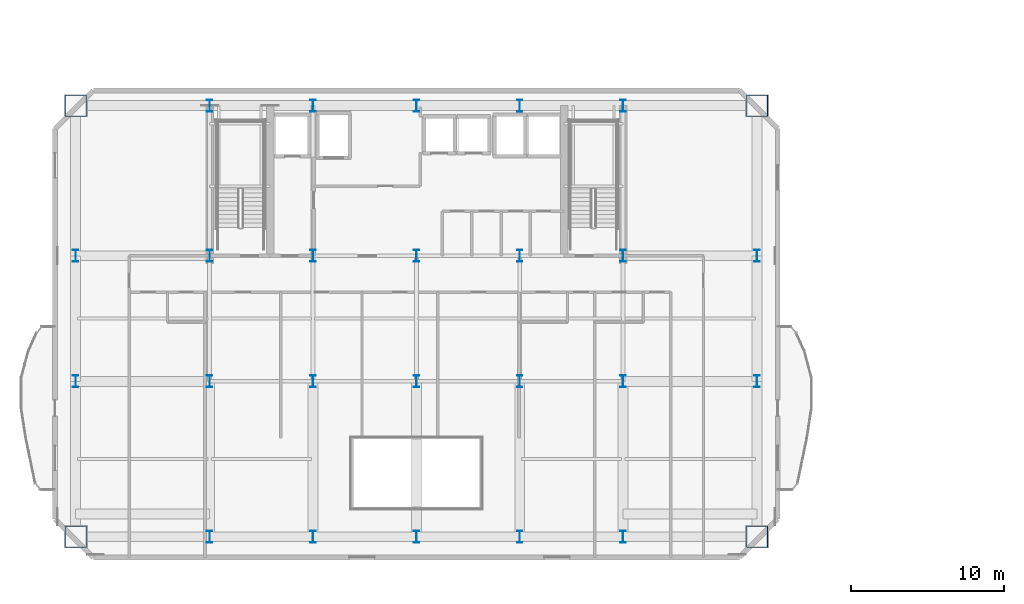
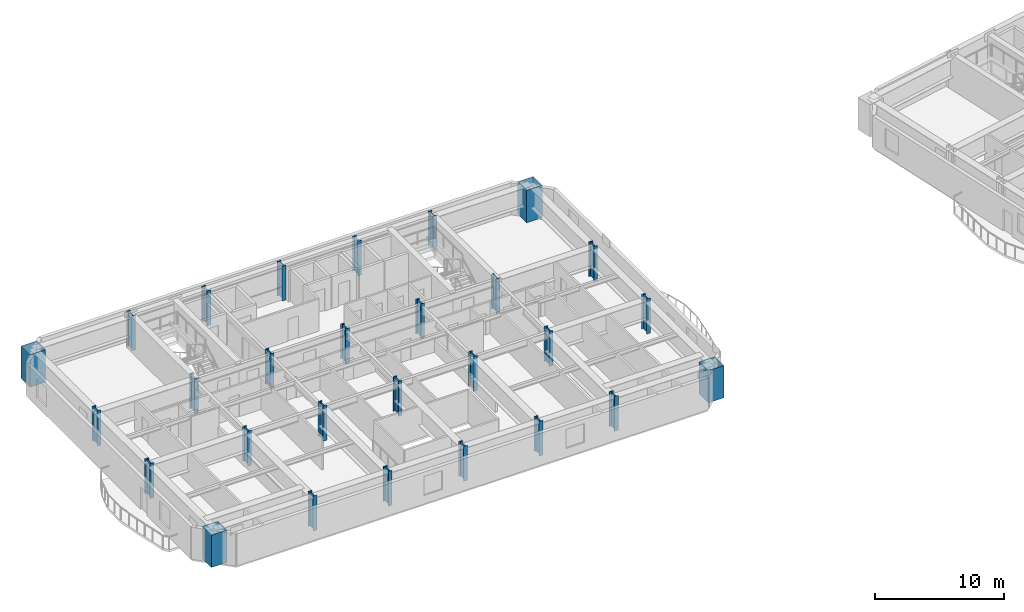
# One storey, part 1 of 15: 28 columns.
"""IFC4 building model written with IfcOpenShell, lengths in metres."""

from ifc_helpers import new_model, si_unit, direction, frame, origin, origin_2d, place, context, subcontext, project, spatial, hollow_rectangle, i_section, extrude, material, material_profile, profile_set, type_object, element, save


model = new_model("IFC4")

# Units and contexts
model_context = context("Model", 3, precision=1e-05, world=origin(), true_north=direction((0.0, 1.0)))
body_context = subcontext(model_context, "Body", "Model", "MODEL_VIEW")
ifc_project = project(units=[si_unit("LENGTHUNIT", "METRE"), si_unit("AREAUNIT", "SQUARE_METRE"), si_unit("VOLUMEUNIT", "CUBIC_METRE"), si_unit("PLANEANGLEUNIT", "RADIAN"), si_unit("MASSUNIT", "GRAM", prefix="KILO")], contexts=[model_context])

# Site, building, storey
site_placement = place(None, origin())
site = spatial("IfcSite", under=ifc_project, at=site_placement, CompositionType="ELEMENT")
building_placement = place(site_placement, origin())
building = spatial("IfcBuilding", under=site, at=building_placement, Name="Haevon Station Towers", CompositionType="ELEMENT")
storey_placement = place(building_placement, frame((0.0, 0.0, 109.800048828125)))
storey = spatial("IfcBuildingStorey", under=building, at=storey_placement, Name="L29", CompositionType="ELEMENT", Elevation=109.800048828125)

# Columns
ifc_material = material(Name="Steel S460", Category="steel")
ifc_material_profile_1 = material_profile(ifc_material, hollow_rectangle(XDim=1.39990234375, YDim=1.39990234375, WallThickness=0.035888671875, at=origin_2d()), Name="BOX-1400x1400x36")
ifc_profile_set_1 = profile_set([ifc_material_profile_1], Name="Steel S460")
column_type_1 = type_object("IfcColumnType", Name="COL-MC3", PredefinedType="COLUMN", material=ifc_profile_set_1)
for number, where, z_axis, x_axis, name in (
    (1, (15.25, 19.85009765625, 0.0), (0.0, 0.0, 1.0), (1.0, 0.0, 0.0), "COL-T1-L29-01-01"),
    (2, (15.25, 48.0, 0.0), (0.0, 0.0, 1.0), (1.0, 0.0, 0.0), "COL-T1-L29-01-04"),
    (3, (59.75, 19.85009765625, 0.0), (0.0, 0.0, 1.0), (1.0, 0.0, 0.0), "COL-T1-L29-07-01"),
    (4, (59.75, 48.0, 0.0), (0.0, 0.0, 1.0), (1.0, 0.0, 0.0), "COL-T1-L29-07-04"),
):
    element("IfcColumn", number, at=place(storey_placement, frame(where, z_axis=z_axis, x_axis=x_axis)), inside=storey, type_object=column_type_1, Name=name, PredefinedType="COLUMN", context=body_context, shape_type="SweptSolid", body=[
        extrude(hollow_rectangle(XDim=1.39990234375, YDim=1.39990234375, WallThickness=0.035888671875, at=origin_2d()), origin(), (0.0, 0.0, 1.0), 3.050048828125),
    ])
ifc_material_profile_2 = material_profile(ifc_material, i_section(OverallWidth=0.35009765625, OverallDepth=0.800048828125, WebThickness=0.01806640625, FlangeThickness=0.031982421875, at=origin_2d()), Name="H-800x350x18x32")
ifc_profile_set_2 = profile_set([ifc_material_profile_2], Name="Steel S460")
column_type_2 = type_object("IfcColumnType", Name="COL-TW2", PredefinedType="COLUMN", material=ifc_profile_set_2)
for number, where, z_axis, x_axis, name in (
    (5, (15.25, 30.0, 0.0), (0.0, 0.0, 1.0), (1.0, 0.0, 0.0), "COL-T1-L29-01-02"),
    (6, (15.25, 38.199951171875, 0.0), (0.0, 0.0, 1.0), (1.0, 0.0, 0.0), "COL-T1-L29-01-03"),
    (7, (24.0, 19.85009765625, 0.0), (0.0, 0.0, 1.0), (1.0, 0.0, 0.0), "COL-T1-L29-02-01"),
    (8, (24.0, 30.0, 0.0), (0.0, 0.0, 1.0), (1.0, 0.0, 0.0), "COL-T1-L29-02-02"),
    (9, (24.0, 38.199951171875, 0.0), (0.0, 0.0, 1.0), (1.0, 0.0, 0.0), "COL-T1-L29-02-03"),
    (10, (24.0, 48.0, 0.0), (0.0, 0.0, 1.0), (1.0, 0.0, 0.0), "COL-T1-L29-02-04"),
    (11, (30.75, 19.85009765625, 0.0), (0.0, 0.0, 1.0), (1.0, 0.0, 0.0), "COL-T1-L29-03-01"),
    (12, (30.75, 30.0, 0.0), (0.0, 0.0, 1.0), (1.0, 0.0, 0.0), "COL-T1-L29-03-02"),
    (13, (30.75, 38.199951171875, 0.0), (0.0, 0.0, 1.0), (1.0, 0.0, 0.0), "COL-T1-L29-03-03"),
    (14, (30.75, 48.0, 0.0), (0.0, 0.0, 1.0), (1.0, 0.0, 0.0), "COL-T1-L29-03-04"),
    (15, (37.5, 19.85009765625, 0.0), (0.0, 0.0, 1.0), (1.0, 0.0, 0.0), "COL-T1-L29-04-01"),
    (16, (37.5, 30.0, 0.0), (0.0, 0.0, 1.0), (1.0, 0.0, 0.0), "COL-T1-L29-04-02"),
    (17, (37.5, 38.199951171875, 0.0), (0.0, 0.0, 1.0), (1.0, 0.0, 0.0), "COL-T1-L29-04-03"),
    (18, (37.5, 48.0, 0.0), (0.0, 0.0, 1.0), (1.0, 0.0, 0.0), "COL-T1-L29-04-04"),
    (19, (44.25, 19.85009765625, 0.0), (0.0, 0.0, 1.0), (1.0, 0.0, 0.0), "COL-T1-L29-05-01"),
    (20, (44.25, 30.0, 0.0), (0.0, 0.0, 1.0), (1.0, 0.0, 0.0), "COL-T1-L29-05-02"),
    (21, (44.25, 38.199951171875, 0.0), (0.0, 0.0, 1.0), (1.0, 0.0, 0.0), "COL-T1-L29-05-03"),
    (22, (44.25, 48.0, 0.0), (0.0, 0.0, 1.0), (1.0, 0.0, 0.0), "COL-T1-L29-05-04"),
    (23, (51.0, 19.85009765625, 0.0), (0.0, 0.0, 1.0), (1.0, 0.0, 0.0), "COL-T1-L29-06-01"),
    (24, (51.0, 30.0, 0.0), (0.0, 0.0, 1.0), (1.0, 0.0, 0.0), "COL-T1-L29-06-02"),
    (25, (51.0, 38.199951171875, 0.0), (0.0, 0.0, 1.0), (1.0, 0.0, 0.0), "COL-T1-L29-06-03"),
    (26, (51.0, 48.0, 0.0), (0.0, 0.0, 1.0), (1.0, 0.0, 0.0), "COL-T1-L29-06-04"),
    (27, (59.75, 30.0, 0.0), (0.0, 0.0, 1.0), (1.0, 0.0, 0.0), "COL-T1-L29-07-02"),
    (28, (59.75, 38.199951171875, 0.0), (0.0, 0.0, 1.0), (1.0, 0.0, 0.0), "COL-T1-L29-07-03"),
):
    element("IfcColumn", number, at=place(storey_placement, frame(where, z_axis=z_axis, x_axis=x_axis)), inside=storey, type_object=column_type_2, Name=name, PredefinedType="COLUMN", context=body_context, shape_type="SweptSolid", body=[
        extrude(i_section(OverallWidth=0.35009765625, OverallDepth=0.800048828125, WebThickness=0.01806640625, FlangeThickness=0.031982421875, at=origin_2d()), origin(), (0.0, 0.0, 1.0), 3.300048828125),
    ])

save(model, "model.ifc")
